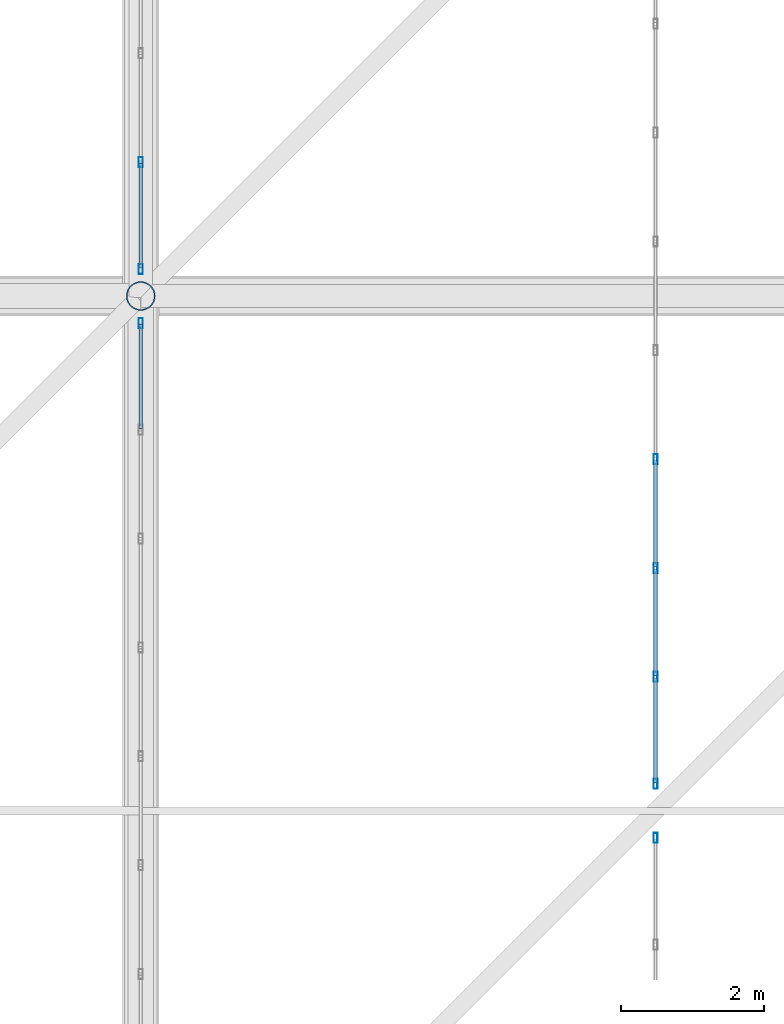
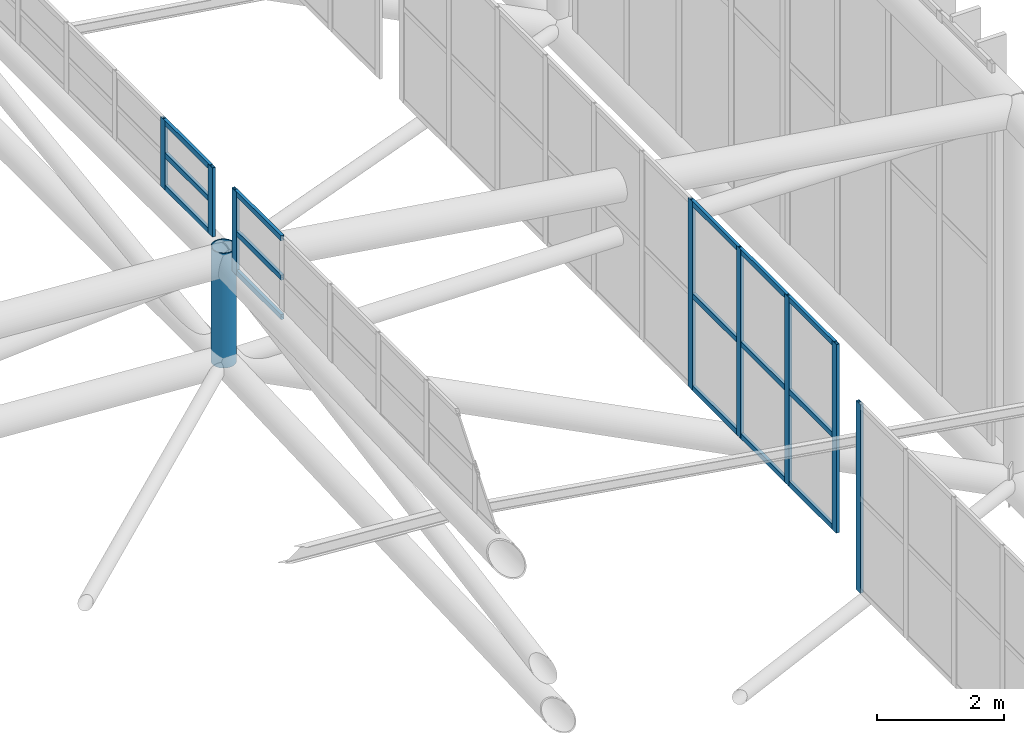
# One storey, part 161 of 397: 24 members, 4 elements without a shape of their own.
"""IFC4 building model written with IfcOpenShell, lengths in metres."""

from ifc_helpers import new_model, si_unit, direction, frame, origin, origin_2d, place, context, subcontext, project, spatial, hollow_rectangle, hollow_circle, extrude, material, material_profile, profile_set, type_object, element, aggregate, save


model = new_model("IFC4")

# Units and contexts
model_context = context("Model", 3, precision=1e-05, world=origin(), true_north=direction((0.0, 1.0)))
body_context = subcontext(model_context, "Body", "Model", "MODEL_VIEW")
ifc_project = project(units=[si_unit("LENGTHUNIT", "METRE"), si_unit("AREAUNIT", "SQUARE_METRE"), si_unit("VOLUMEUNIT", "CUBIC_METRE"), si_unit("PLANEANGLEUNIT", "RADIAN"), si_unit("MASSUNIT", "GRAM", prefix="KILO")], contexts=[model_context])

# Site, building, storey
site_placement = place(None, origin())
site = spatial("IfcSite", under=ifc_project, at=site_placement, CompositionType="ELEMENT")
building_placement = place(site_placement, origin())
building = spatial("IfcBuilding", under=site, at=building_placement, Name="Qandorah Velis Arena", CompositionType="ELEMENT")
storey_placement = place(building_placement, frame((0.0, 0.0, 27.5)))
storey = spatial("IfcBuildingStorey", under=building, at=storey_placement, Name="RF", CompositionType="ELEMENT", Elevation=27.5)

# Curtain wall, member
ifc_material_1 = material(Name="Solar-control low-E double glazing", Category="glass")
curtain_wall_type_1 = type_object("IfcCurtainWallType", Name="ARC-CW-SYS14", PredefinedType="USERDEFINED", material=ifc_material_1)
curtain_wall_1_placement = place(storey_placement, origin())
curtain_wall_1 = element("IfcCurtainWall", 1, at=curtain_wall_1_placement, inside=storey, type_object=curtain_wall_type_1, Name="Unitised curtain wall MON-2-2", ObjectType="UNITISED CURTAIN WALL", PredefinedType="USERDEFINED")
ifc_material_2 = material(Name="Champagne-bronze anodized aluminium 6063-T6", Category="aluminium")
ifc_material_profile_1 = material_profile(ifc_material_2, hollow_rectangle(XDim=0.054931640625, YDim=0.139892578125, WallThickness=0.0029296875, at=origin_2d()), Name="ALU MULLION 55x140")
ifc_profile_set_1 = profile_set([ifc_material_profile_1], Name="Champagne-bronze anodized aluminium 6063-T6")
member_type_1 = type_object("IfcMemberType", Name="ARC-CWM-140", PredefinedType="MULLION", material=ifc_profile_set_1)
member_1_placement = place(storey_placement, frame((108.0, 50.0224609375, 5.13427734375), z_axis=(0.0, 0.0, 1.0), x_axis=(-1.0, 0.0, 0.0)))
member_1 = element("IfcMember", 2, at=member_1_placement, type_object=member_type_1, Name="CW14 mullion 10", PredefinedType="MULLION", context=body_context, shape_type="SweptSolid", body=[
    extrude(hollow_rectangle(XDim=0.054931640625, YDim=0.139892578125, WallThickness=0.0029296875, at=origin_2d()), origin(), (0.0, 0.0, 1.0), 3.630126953125),
])
aggregate(curtain_wall_1, [member_1])

# Curtain wall, members
curtain_wall_type_2 = type_object("IfcCurtainWallType", Name="ARC-CW-SYS15", PredefinedType="USERDEFINED", material=ifc_material_1)
curtain_wall_2_placement = place(storey_placement, origin())
curtain_wall_2 = element("IfcCurtainWall", 3, at=curtain_wall_2_placement, inside=storey, type_object=curtain_wall_type_2, Name="Unitised curtain wall MON-2-3", ObjectType="UNITISED CURTAIN WALL", PredefinedType="USERDEFINED")
member_2_placement = place(storey_placement, frame((108.0, 50.777587890625, 5.830322265625), z_axis=(0.0, 0.0, 1.0), x_axis=(-1.0, 0.0, 0.0)))
member_2 = element("IfcMember", 4, at=member_2_placement, type_object=member_type_1, Name="CW15 mullion 1", PredefinedType="MULLION", context=body_context, shape_type="SweptSolid", body=[
    extrude(hollow_rectangle(XDim=0.054931640625, YDim=0.139892578125, WallThickness=0.0029296875, at=origin_2d()), origin(), (0.0, 0.0, 1.0), 3.6298828125),
])
member_3_placement = place(storey_placement, frame((108.0, 52.272216796875, 5.830322265625), z_axis=(0.0, 0.0, 1.0), x_axis=(-1.0, 0.0, 0.0)))
member_3 = element("IfcMember", 5, at=member_3_placement, type_object=member_type_1, Name="CW15 mullion 2", PredefinedType="MULLION", context=body_context, shape_type="SweptSolid", body=[
    extrude(hollow_rectangle(XDim=0.054931640625, YDim=0.139892578125, WallThickness=0.0029296875, at=origin_2d()), origin(), (0.0, 0.0, 1.0), 3.6298828125),
])
member_4_placement = place(storey_placement, frame((108.0, 53.79443359375, 5.830322265625), z_axis=(0.0, 0.0, 1.0), x_axis=(-1.0, 0.0, 0.0)))
member_4 = element("IfcMember", 6, at=member_4_placement, type_object=member_type_1, Name="CW15 mullion 3", PredefinedType="MULLION", context=body_context, shape_type="SweptSolid", body=[
    extrude(hollow_rectangle(XDim=0.054931640625, YDim=0.139892578125, WallThickness=0.0029296875, at=origin_2d()), origin(), (0.0, 0.0, 1.0), 3.6298828125),
])
member_5_placement = place(storey_placement, frame((108.0, 55.316650390625, 5.830322265625), z_axis=(0.0, 0.0, 1.0), x_axis=(-1.0, 0.0, 0.0)))
member_5 = element("IfcMember", 7, at=member_5_placement, type_object=member_type_1, Name="CW15 mullion 4", PredefinedType="MULLION", context=body_context, shape_type="SweptSolid", body=[
    extrude(hollow_rectangle(XDim=0.054931640625, YDim=0.139892578125, WallThickness=0.0029296875, at=origin_2d()), origin(), (0.0, 0.0, 1.0), 3.6298828125),
])

# Curtain wall, member
curtain_wall_type_3 = type_object("IfcCurtainWallType", Name="ARC-CW-SYS12", PredefinedType="USERDEFINED", material=ifc_material_1)
curtain_wall_3_placement = place(storey_placement, origin())
curtain_wall_3 = element("IfcCurtainWall", 8, at=curtain_wall_3_placement, inside=storey, type_object=curtain_wall_type_3, Name="Unitised curtain wall OCULUS-2-2", ObjectType="UNITISED CURTAIN WALL", PredefinedType="USERDEFINED")
member_6_placement = place(storey_placement, frame((100.800048828125, 57.222412109375, 9.41259765625), z_axis=(0.0, 0.0, 1.0), x_axis=(-1.0, 0.0, 0.0)))
member_6 = element("IfcMember", 9, at=member_6_placement, type_object=member_type_1, Name="CW12 mullion 10", PredefinedType="MULLION", context=body_context, shape_type="SweptSolid", body=[
    extrude(hollow_rectangle(XDim=0.054931640625, YDim=0.139892578125, WallThickness=0.0029296875, at=origin_2d()), origin(), (0.0, 0.0, 1.0), 1.602294921875),
])

# Curtain wall, members
curtain_wall_type_4 = type_object("IfcCurtainWallType", Name="ARC-CW-SYS13", PredefinedType="USERDEFINED", material=ifc_material_1)
curtain_wall_4_placement = place(storey_placement, origin())
curtain_wall_4 = element("IfcCurtainWall", 10, at=curtain_wall_4_placement, inside=storey, type_object=curtain_wall_type_4, Name="Unitised curtain wall OCULUS-2-3", ObjectType="UNITISED CURTAIN WALL", PredefinedType="USERDEFINED")
member_7_placement = place(storey_placement, frame((100.800048828125, 57.9775390625, 9.68408203125), z_axis=(0.0, 0.0, 1.0), x_axis=(-1.0, 0.0, 0.0)))
member_7 = element("IfcMember", 11, at=member_7_placement, type_object=member_type_1, Name="CW13 mullion 1", PredefinedType="MULLION", context=body_context, shape_type="SweptSolid", body=[
    extrude(hollow_rectangle(XDim=0.054931640625, YDim=0.139892578125, WallThickness=0.0029296875, at=origin_2d()), origin(), (0.0, 0.0, 1.0), 1.330810546875),
])
member_8_placement = place(storey_placement, frame((100.800048828125, 59.47216796875, 9.68408203125), z_axis=(0.0, 0.0, 1.0), x_axis=(-1.0, 0.0, 0.0)))
member_8 = element("IfcMember", 12, at=member_8_placement, type_object=member_type_1, Name="CW13 mullion 2", PredefinedType="MULLION", context=body_context, shape_type="SweptSolid", body=[
    extrude(hollow_rectangle(XDim=0.054931640625, YDim=0.139892578125, WallThickness=0.0029296875, at=origin_2d()), origin(), (0.0, 0.0, 1.0), 1.330810546875),
])

# Member
ifc_material_profile_2 = material_profile(ifc_material_2, hollow_rectangle(XDim=0.054931640625, YDim=0.10009765625, WallThickness=0.0029296875, at=origin_2d()), Name="ALU TRANSOM 55x100")
ifc_profile_set_2 = profile_set([ifc_material_profile_2], Name="Champagne-bronze anodized aluminium 6063-T6")
member_type_2 = type_object("IfcMemberType", Name="ARC-CWT-100", PredefinedType="USERDEFINED", material=ifc_profile_set_2)
member_9_placement = place(storey_placement, frame((108.0, 50.79296875, 5.872802734375), z_axis=(0.0, 1.0, 0.0), x_axis=(-1.0, 0.0, 0.0)))
member_9 = element("IfcMember", 13, at=member_9_placement, type_object=member_type_2, Name="CW15 transom 1.1", ObjectType="TRANSOM", PredefinedType="USERDEFINED", context=body_context, shape_type="SweptSolid", body=[
    extrude(hollow_rectangle(XDim=0.054931640625, YDim=0.10009765625, WallThickness=0.0029296875, at=origin_2d()), origin(), (0.0, 0.0, 1.0), 1.463623046875),
])

member_10_placement = place(storey_placement, frame((108.0, 50.79296875, 7.645263671875), z_axis=(0.0, 1.0, 0.0), x_axis=(-1.0, 0.0, 0.0)))
member_10 = element("IfcMember", 14, at=member_10_placement, type_object=member_type_2, Name="CW15 transom 1.2", ObjectType="TRANSOM", PredefinedType="USERDEFINED", context=body_context, shape_type="SweptSolid", body=[
    extrude(hollow_rectangle(XDim=0.054931640625, YDim=0.10009765625, WallThickness=0.0029296875, at=origin_2d()), origin(), (0.0, 0.0, 1.0), 1.463623046875),
])

member_11_placement = place(storey_placement, frame((108.0, 50.79296875, 9.417724609375), z_axis=(0.0, 1.0, 0.0), x_axis=(-1.0, 0.0, 0.0)))
member_11 = element("IfcMember", 15, at=member_11_placement, type_object=member_type_2, Name="CW15 transom 1.3", ObjectType="TRANSOM", PredefinedType="USERDEFINED", context=body_context, shape_type="SweptSolid", body=[
    extrude(hollow_rectangle(XDim=0.054931640625, YDim=0.10009765625, WallThickness=0.0029296875, at=origin_2d()), origin(), (0.0, 0.0, 1.0), 1.463623046875),
])

member_12_placement = place(storey_placement, frame((108.0, 52.28759765625, 5.872802734375), z_axis=(0.0, 1.0, 0.0), x_axis=(-1.0, 0.0, 0.0)))
member_12 = element("IfcMember", 16, at=member_12_placement, type_object=member_type_2, Name="CW15 transom 2.1", ObjectType="TRANSOM", PredefinedType="USERDEFINED", context=body_context, shape_type="SweptSolid", body=[
    extrude(hollow_rectangle(XDim=0.054931640625, YDim=0.10009765625, WallThickness=0.0029296875, at=origin_2d()), origin(), (0.0, 0.0, 1.0), 1.4912109375),
])

member_13_placement = place(storey_placement, frame((108.0, 52.28759765625, 7.645263671875), z_axis=(0.0, 1.0, 0.0), x_axis=(-1.0, 0.0, 0.0)))
member_13 = element("IfcMember", 17, at=member_13_placement, type_object=member_type_2, Name="CW15 transom 2.2", ObjectType="TRANSOM", PredefinedType="USERDEFINED", context=body_context, shape_type="SweptSolid", body=[
    extrude(hollow_rectangle(XDim=0.054931640625, YDim=0.10009765625, WallThickness=0.0029296875, at=origin_2d()), origin(), (0.0, 0.0, 1.0), 1.4912109375),
])

member_14_placement = place(storey_placement, frame((108.0, 52.28759765625, 9.417724609375), z_axis=(0.0, 1.0, 0.0), x_axis=(-1.0, 0.0, 0.0)))
member_14 = element("IfcMember", 18, at=member_14_placement, type_object=member_type_2, Name="CW15 transom 2.3", ObjectType="TRANSOM", PredefinedType="USERDEFINED", context=body_context, shape_type="SweptSolid", body=[
    extrude(hollow_rectangle(XDim=0.054931640625, YDim=0.10009765625, WallThickness=0.0029296875, at=origin_2d()), origin(), (0.0, 0.0, 1.0), 1.4912109375),
])

member_15_placement = place(storey_placement, frame((108.0, 53.809814453125, 5.872802734375), z_axis=(0.0, 1.0, 0.0), x_axis=(-1.0, 0.0, 0.0)))
member_15 = element("IfcMember", 19, at=member_15_placement, type_object=member_type_2, Name="CW15 transom 3.1", ObjectType="TRANSOM", PredefinedType="USERDEFINED", context=body_context, shape_type="SweptSolid", body=[
    extrude(hollow_rectangle(XDim=0.054931640625, YDim=0.10009765625, WallThickness=0.0029296875, at=origin_2d()), origin(), (0.0, 0.0, 1.0), 1.491455078125),
])

member_16_placement = place(storey_placement, frame((108.0, 53.809814453125, 7.645263671875), z_axis=(0.0, 1.0, 0.0), x_axis=(-1.0, 0.0, 0.0)))
member_16 = element("IfcMember", 20, at=member_16_placement, type_object=member_type_2, Name="CW15 transom 3.2", ObjectType="TRANSOM", PredefinedType="USERDEFINED", context=body_context, shape_type="SweptSolid", body=[
    extrude(hollow_rectangle(XDim=0.054931640625, YDim=0.10009765625, WallThickness=0.0029296875, at=origin_2d()), origin(), (0.0, 0.0, 1.0), 1.491455078125),
])

member_17_placement = place(storey_placement, frame((108.0, 53.809814453125, 9.417724609375), z_axis=(0.0, 1.0, 0.0), x_axis=(-1.0, 0.0, 0.0)))
member_17 = element("IfcMember", 21, at=member_17_placement, type_object=member_type_2, Name="CW15 transom 3.3", ObjectType="TRANSOM", PredefinedType="USERDEFINED", context=body_context, shape_type="SweptSolid", body=[
    extrude(hollow_rectangle(XDim=0.054931640625, YDim=0.10009765625, WallThickness=0.0029296875, at=origin_2d()), origin(), (0.0, 0.0, 1.0), 1.491455078125),
])

aggregate(curtain_wall_2, [member_2, member_3, member_4, member_5, member_9, member_10, member_11, member_12, member_13, member_14, member_15, member_16, member_17])

member_18_placement = place(storey_placement, frame((100.800048828125, 55.743408203125, 9.455078125), z_axis=(0.0, 1.0, 0.0), x_axis=(-1.0, 0.0, 0.0)))
member_18 = element("IfcMember", 22, at=member_18_placement, type_object=member_type_2, Name="CW12 transom 9.1", ObjectType="TRANSOM", PredefinedType="USERDEFINED", context=body_context, shape_type="SweptSolid", body=[
    extrude(hollow_rectangle(XDim=0.054931640625, YDim=0.10009765625, WallThickness=0.0029296875, at=origin_2d()), origin(), (0.0, 0.0, 1.0), 1.463623046875),
])

member_19_placement = place(storey_placement, frame((100.800048828125, 55.743408203125, 10.2138671875), z_axis=(0.0, 1.0, 0.0), x_axis=(-1.0, 0.0, 0.0)))
member_19 = element("IfcMember", 23, at=member_19_placement, type_object=member_type_2, Name="CW12 transom 9.2", ObjectType="TRANSOM", PredefinedType="USERDEFINED", context=body_context, shape_type="SweptSolid", body=[
    extrude(hollow_rectangle(XDim=0.054931640625, YDim=0.10009765625, WallThickness=0.0029296875, at=origin_2d()), origin(), (0.0, 0.0, 1.0), 1.463623046875),
])

member_20_placement = place(storey_placement, frame((100.800048828125, 55.743408203125, 10.972412109375), z_axis=(0.0, 1.0, 0.0), x_axis=(-1.0, 0.0, 0.0)))
member_20 = element("IfcMember", 24, at=member_20_placement, type_object=member_type_2, Name="CW12 transom 9.3", ObjectType="TRANSOM", PredefinedType="USERDEFINED", context=body_context, shape_type="SweptSolid", body=[
    extrude(hollow_rectangle(XDim=0.054931640625, YDim=0.10009765625, WallThickness=0.0029296875, at=origin_2d()), origin(), (0.0, 0.0, 1.0), 1.463623046875),
])

aggregate(curtain_wall_3, [member_6, member_18, member_19, member_20])

member_21_placement = place(storey_placement, frame((100.800048828125, 57.992919921875, 9.7265625), z_axis=(0.0, 1.0, 0.0), x_axis=(-1.0, 0.0, 0.0)))
member_21 = element("IfcMember", 25, at=member_21_placement, type_object=member_type_2, Name="CW13 transom 1.1", ObjectType="TRANSOM", PredefinedType="USERDEFINED", context=body_context, shape_type="SweptSolid", body=[
    extrude(hollow_rectangle(XDim=0.054931640625, YDim=0.10009765625, WallThickness=0.0029296875, at=origin_2d()), origin(), (0.0, 0.0, 1.0), 1.4638671875),
])

member_22_placement = place(storey_placement, frame((100.800048828125, 57.992919921875, 10.349609375), z_axis=(0.0, 1.0, 0.0), x_axis=(-1.0, 0.0, 0.0)))
member_22 = element("IfcMember", 26, at=member_22_placement, type_object=member_type_2, Name="CW13 transom 1.2", ObjectType="TRANSOM", PredefinedType="USERDEFINED", context=body_context, shape_type="SweptSolid", body=[
    extrude(hollow_rectangle(XDim=0.054931640625, YDim=0.10009765625, WallThickness=0.0029296875, at=origin_2d()), origin(), (0.0, 0.0, 1.0), 1.4638671875),
])

member_23_placement = place(storey_placement, frame((100.800048828125, 57.992919921875, 10.972412109375), z_axis=(0.0, 1.0, 0.0), x_axis=(-1.0, 0.0, 0.0)))
member_23 = element("IfcMember", 27, at=member_23_placement, type_object=member_type_2, Name="CW13 transom 1.3", ObjectType="TRANSOM", PredefinedType="USERDEFINED", context=body_context, shape_type="SweptSolid", body=[
    extrude(hollow_rectangle(XDim=0.054931640625, YDim=0.10009765625, WallThickness=0.0029296875, at=origin_2d()), origin(), (0.0, 0.0, 1.0), 1.4638671875),
])

aggregate(curtain_wall_4, [member_7, member_8, member_21, member_22, member_23])

ifc_material_3 = material(Name="Steel S355", Category="steel")
ifc_material_profile_3 = material_profile(ifc_material_3, hollow_circle(Radius=0.203125, WallThickness=0.01611328125, at=origin_2d()), Name="CHS 406.4x16")
ifc_profile_set_3 = profile_set([ifc_material_profile_3], Name="Steel S355")
member_type_3 = type_object("IfcMemberType", Name="STR-SFD-CHS406X16", PredefinedType="STRUT", material=ifc_profile_set_3)
member_24_placement = place(storey_placement, frame((100.800048828125, 57.60009765625, 7.483154296875), z_axis=(0.0, 0.0, 1.0), x_axis=(1.0, 0.0, 0.0)))
element("IfcMember", 28, at=member_24_placement, inside=storey, type_object=member_type_3, Name="Space frame roof vertical post 6.3", PredefinedType="STRUT", context=body_context, shape_type="SweptSolid", body=[
    extrude(hollow_circle(Radius=0.203125, WallThickness=0.01611328125, at=origin_2d()), origin(), (0.0, 0.0, 1.0), 2.2099609375),
])

save(model, "model.ifc")
